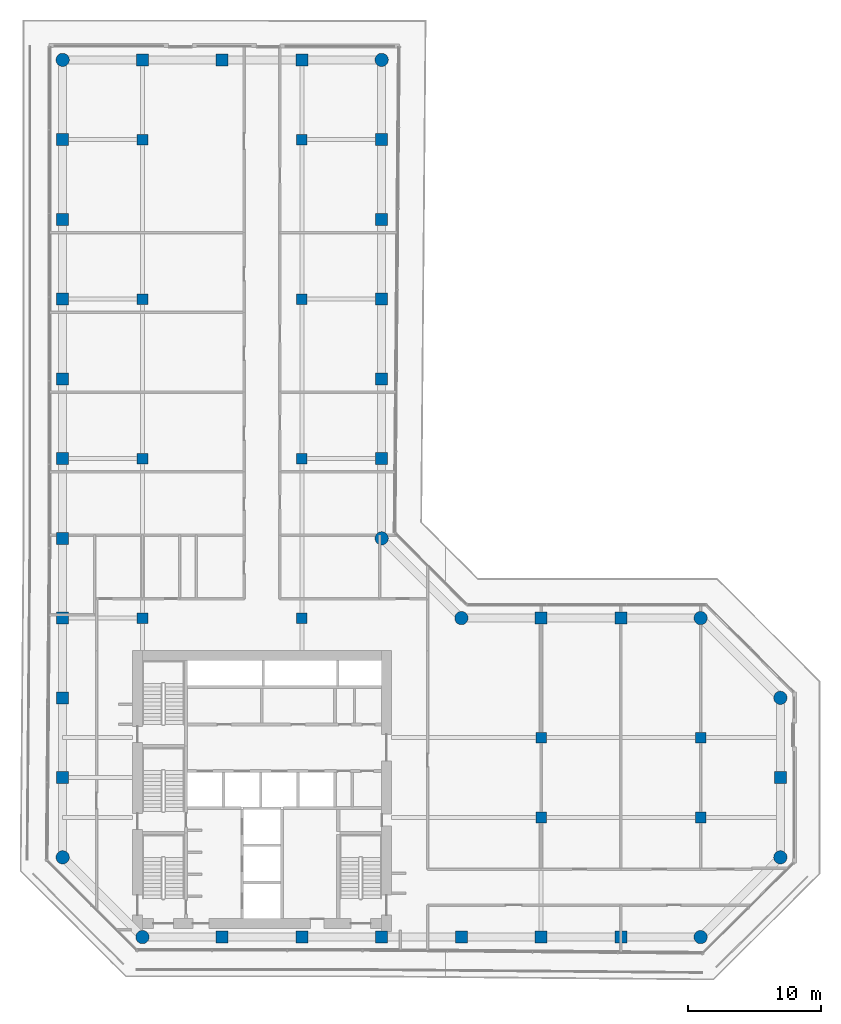
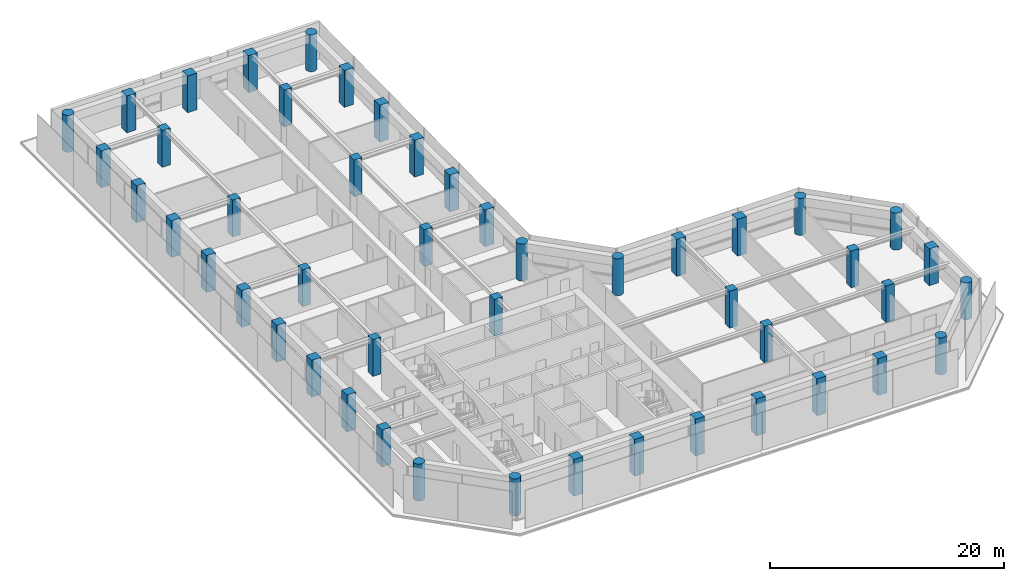
# One storey, part 1 of 23: 48 columns.
"""IFC4 building model written with IfcOpenShell, lengths in metres."""

import ifcopenshell
import ifcopenshell.guid

model = None  # the IFC model being written
_history = None  # IfcOwnerHistory: only IFC2X3 demands one
_inside = {}  # id of a spatial element -> (the spatial element, [elements in it])
_under = {}  # id of a project, library or spatial element -> (it, [spatial elements below it])
_declared = {}  # id of a project -> (the project, [libraries it declares])
_typed = {}  # id of a type object -> (the type object, [elements of that type])
_made_of = {}  # id of a material, layer set ... -> (it, [elements and type objects made of it])


def new_model(schema):
    """Start an empty IFC model of exactly this schema.

    Asked for "IFC4X3", IfcOpenShell would pick the latest addendum, in which some entities
    have other attributes; the version numbers below select the first issue.
    IFC2X3 requires an IfcOwnerHistory on every rooted entity: one is made here for all.
    """
    global model, _history
    if schema == "IFC4X3":
        model = ifcopenshell.file(schema_version=(4, 3, 0, 0))
    else:
        model = ifcopenshell.file(schema=schema)
    _inside.clear()
    _under.clear()
    _declared.clear()
    _typed.clear()
    _made_of.clear()
    _history = None
    if model.schema == "IFC2X3":
        org = make("IfcOrganization", Name="unknown")
        user = make(
            "IfcPersonAndOrganization",
            ThePerson=make("IfcPerson", FamilyName="unknown"),
            TheOrganization=org,
        )
        app = make(
            "IfcApplication",
            ApplicationDeveloper=org,
            Version="unknown",
            ApplicationFullName="unknown",
            ApplicationIdentifier="unknown",
        )
        _history = make(
            "IfcOwnerHistory",
            OwningUser=user,
            OwningApplication=app,
            ChangeAction="ADDED",
            CreationDate=0,
        )
    return model


def make(cls, **values):
    """One entity of the class cls with the attributes given. An attribute that is None is left unset."""
    return model.create_entity(
        cls, **{name: value for name, value in values.items() if value is not None}
    )


def rooted(cls, **values):
    """An entity with a GlobalId (a new one), such as an element, a storey or a relation."""
    return make(cls, GlobalId=ifcopenshell.guid.new(), OwnerHistory=_history, **values)


def si_unit(unit_type, name, prefix=None):
    """IfcSIUnit, for example si_unit("LENGTHUNIT", "METRE", prefix="MILLI")."""
    return make("IfcSIUnit", UnitType=unit_type, Prefix=prefix, Name=name)


def assignment(units):
    """IfcUnitAssignment: the units of a project."""
    return None if units is None else make("IfcUnitAssignment", Units=units)


def point(xyz):
    """IfcCartesianPoint."""
    return None if xyz is None else make("IfcCartesianPoint", Coordinates=xyz)


def direction(xyz):
    """IfcDirection."""
    return None if xyz is None else make("IfcDirection", DirectionRatios=xyz)


def frame(location, z_axis=None, x_axis=None):
    """IfcAxis2Placement3D, a coordinate frame: its origin and axes. An axis left out is left unset."""
    return make(
        "IfcAxis2Placement3D",
        Location=point(location),
        Axis=direction(z_axis),
        RefDirection=direction(x_axis),
    )


def frame_2d(location, x_axis=None):
    """IfcAxis2Placement2D, a coordinate frame in the plane: its origin and x axis."""
    return make(
        "IfcAxis2Placement2D", Location=point(location), RefDirection=direction(x_axis)
    )


def origin():
    """The frame at (0, 0, 0) with its axes left unset."""
    return frame((0.0, 0.0, 0.0))


def origin_2d():
    """The frame at (0, 0) in the plane with its x axis left unset."""
    return frame_2d((0.0, 0.0))


def place(relative_to, where):
    """IfcLocalPlacement: puts the frame where relative to a parent placement (None: the world)."""
    return make(
        "IfcLocalPlacement", PlacementRelTo=relative_to, RelativePlacement=where
    )


def context(
    kind, dimensions, precision=None, world=None, true_north=None, identifier=None
):
    """IfcGeometricRepresentationContext, for example the 3D "Model" context."""
    return make(
        "IfcGeometricRepresentationContext",
        ContextIdentifier=identifier,
        ContextType=kind,
        CoordinateSpaceDimension=dimensions,
        Precision=precision,
        WorldCoordinateSystem=world,
        TrueNorth=true_north,
    )


def subcontext(parent, identifier, kind, view, scale=None):
    """IfcGeometricRepresentationSubContext, for example "Body" below "Model"."""
    return make(
        "IfcGeometricRepresentationSubContext",
        ContextIdentifier=identifier,
        ContextType=kind,
        ParentContext=parent,
        TargetScale=scale,
        TargetView=view,
    )


def project(units=None, contexts=None):
    """IfcProject with its units and contexts."""
    return rooted(
        "IfcProject",
        Name="project",
        RepresentationContexts=contexts,
        UnitsInContext=assignment(units),
    )


def spatial(cls, under=None, at=None, **own):
    """A site, building, storey or space (cls), placed at a placement, below another one or the project."""
    s = rooted(cls, ObjectPlacement=at, **own)
    if under is not None:
        _under.setdefault(under.id(), (under, []))[1].append(s)
    return s


def profile(cls, at=None, kind="AREA", **sizes):
    """A parametric profile (cls). Its sizes go by their IFC names, for example OverallWidth=200.0."""
    return make(cls, ProfileType=kind, Position=at, **sizes)


def rectangle(**sizes):
    """IfcRectangleProfileDef."""
    return profile("IfcRectangleProfileDef", **sizes)


def circle(**sizes):
    """IfcCircleProfileDef."""
    return profile("IfcCircleProfileDef", **sizes)


def extrude(swept, where, along, depth):
    """IfcExtrudedAreaSolid: the profile swept, set in the frame where, extruded along a direction by depth."""
    return make(
        "IfcExtrudedAreaSolid",
        SweptArea=swept,
        Position=where,
        ExtrudedDirection=direction(along),
        Depth=depth,
    )


def shape(context_of_items, identifier, shape_type, items):
    """IfcShapeRepresentation: the items that make up one representation, for example the "Body"."""
    return make(
        "IfcShapeRepresentation",
        ContextOfItems=context_of_items,
        RepresentationIdentifier=identifier,
        RepresentationType=shape_type,
        Items=items,
    )


def material(Name=None, Category=None):
    """IfcMaterial."""
    return make("IfcMaterial", Name=Name, Category=Category)


def material_profile(
    of_material, cross_section, Name=None, Category=None, Priority=None
):
    """IfcMaterialProfile: a cross section and its material."""
    return make(
        "IfcMaterialProfile",
        Name=Name,
        Material=of_material,
        Profile=cross_section,
        Priority=Priority,
        Category=Category,
    )


def profile_set(profiles, Name=None, composite=None):
    """IfcMaterialProfileSet."""
    return make(
        "IfcMaterialProfileSet",
        Name=Name,
        MaterialProfiles=profiles,
        CompositeProfile=composite,
    )


def made_of(thing, what):
    """Note that an element or type object is made of a material, layer set ...; save() writes the relation."""
    if what is not None:
        _made_of.setdefault(what.id(), (what, []))[1].append(thing)
    return thing


def type_object(cls, material=None, **own):
    """A type object (cls), such as IfcWallType, which elements share."""
    return made_of(rooted(cls, **own), material)


def element(
    cls,
    number,
    at=None,
    inside=None,
    cuts=None,
    type_object=None,
    material=None,
    context=None,
    identifier="Body",
    shape_type=None,
    held_by="IfcProductDefinitionShape",
    body=None,
    shapes=None,
    **own,
):
    """One element of the class cls, such as IfcWall. Its Tag is "e" and its number.

    at: its placement. inside: the storey or other place that contains it. cuts: it is an
    opening in that element (IfcRelVoidsElement). A single representation is given by context,
    identifier, shape_type and body (its items); several are given by shapes. held_by: the class
    of the entity that holds the representations. save() writes the other relations.
    """
    e = rooted(cls, Tag="e%d" % number, ObjectPlacement=at, **own)
    if body is not None:
        shapes = [shape(context, identifier, shape_type, body)]
    if shapes is not None:
        e.Representation = make(held_by, Representations=shapes)
    if inside is not None:
        _inside.setdefault(inside.id(), (inside, []))[1].append(e)
    if cuts is not None:
        rooted(
            "IfcRelVoidsElement", RelatingBuildingElement=cuts, RelatedOpeningElement=e
        )
    if type_object is not None:
        _typed.setdefault(type_object.id(), (type_object, []))[1].append(e)
    return made_of(e, material)


def aggregate(whole, parts):
    """IfcRelAggregates: a whole, such as a stair, and the parts it consists of."""
    return rooted("IfcRelAggregates", RelatingObject=whole, RelatedObjects=parts)


def save(model, path):
    """Write the relations noted so far, then the file.

    IfcRelAggregates (storeys below a building ...), IfcRelContainedInSpatialStructure (elements
    in a storey), IfcRelDefinesByType, IfcRelAssociatesMaterial and IfcRelDeclares: one each for
    every whole, place, type object, material and project.
    """
    for whole, parts in _under.values():
        aggregate(whole, parts)
    for where, things in _inside.values():
        rooted(
            "IfcRelContainedInSpatialStructure",
            RelatedElements=things,
            RelatingStructure=where,
        )
    for kind, things in _typed.values():
        rooted("IfcRelDefinesByType", RelatedObjects=things, RelatingType=kind)
    for what, things in _made_of.values():
        rooted("IfcRelAssociatesMaterial", RelatedObjects=things, RelatingMaterial=what)
    for by, libraries in _declared.values():
        rooted("IfcRelDeclares", RelatingContext=by, RelatedDefinitions=libraries)
    model.write(path)


model = new_model("IFC4")

# Units and contexts
model_context = context("Model", 3, precision=1e-05, world=origin(), true_north=direction((0.0, 1.0)))
body_context = subcontext(model_context, "Body", "Model", "MODEL_VIEW")
ifc_project = project(units=[si_unit("LENGTHUNIT", "METRE"), si_unit("AREAUNIT", "SQUARE_METRE"), si_unit("VOLUMEUNIT", "CUBIC_METRE"), si_unit("PLANEANGLEUNIT", "RADIAN"), si_unit("MASSUNIT", "GRAM", prefix="KILO")], contexts=[model_context])

# Site, building, storey
site_placement = place(None, origin())
site = spatial("IfcSite", under=ifc_project, at=site_placement, CompositionType="ELEMENT")
building_placement = place(site_placement, origin())
building = spatial("IfcBuilding", under=site, at=building_placement, Name="Welwitschia Terrace Campus", CompositionType="ELEMENT")
storey_placement = place(building_placement, frame((0.0, 0.0, 113.0)))
storey = spatial("IfcBuildingStorey", under=building, at=storey_placement, Name="L25", CompositionType="ELEMENT", Elevation=113.0)

# Columns
ifc_material_1 = material(Name="Concrete C60/75", Category="concrete")
ifc_material_profile_1 = material_profile(ifc_material_1, circle(Radius=0.5, at=origin_2d()))
ifc_profile_set_1 = profile_set([ifc_material_profile_1], Name="Concrete C60/75")
column_type_1 = type_object("IfcColumnType", Name="Corner column 1000 dia", PredefinedType="COLUMN", material=ifc_profile_set_1)
for number, where, z_axis, x_axis, name in (
    (1, (0.0, 10.0, 0.0), (0.0, 0.0, 1.0), (1.0, 0.0, 0.0), "Column C15"),
    (2, (0.0, 70.0, 0.0), (0.0, 0.0, 1.0), (1.0, 0.0, 0.0), "Column C15"),
    (3, (6.0, 4.0, 0.0), (0.0, 0.0, 1.0), (1.0, 0.0, 0.0), "Column C15"),
    (4, (24.0, 34.0, 0.0), (0.0, 0.0, 1.0), (1.0, 0.0, 0.0), "Column C15"),
    (5, (24.0, 70.0, 0.0), (0.0, 0.0, 1.0), (1.0, 0.0, 0.0), "Column C15"),
    (6, (30.0, 28.0, 0.0), (0.0, 0.0, 1.0), (1.0, 0.0, 0.0), "Column C15"),
    (7, (48.0, 4.0, 0.0), (0.0, 0.0, 1.0), (1.0, 0.0, 0.0), "Column C15"),
    (8, (48.0, 28.0, 0.0), (0.0, 0.0, 1.0), (1.0, 0.0, 0.0), "Column C15"),
    (9, (54.0, 10.0, 0.0), (0.0, 0.0, 1.0), (1.0, 0.0, 0.0), "Column C15"),
    (10, (54.0, 22.0, 0.0), (0.0, 0.0, 1.0), (1.0, 0.0, 0.0), "Column C15"),
):
    element("IfcColumn", number, at=place(storey_placement, frame(where, z_axis=z_axis, x_axis=x_axis)), inside=storey, type_object=column_type_1, Name=name, PredefinedType="COLUMN", context=body_context, shape_type="SweptSolid", body=[
        extrude(circle(Radius=0.5, at=origin_2d()), origin(), (0.0, 0.0, 1.0), 3.85009765625),
    ])
ifc_material_2 = material(Name="Concrete C60/75", Category="concrete")
ifc_material_profile_2 = material_profile(ifc_material_2, rectangle(XDim=0.800048828125, YDim=0.800048828125, at=origin_2d()))
ifc_profile_set_2 = profile_set([ifc_material_profile_2], Name="Concrete C60/75")
column_type_2 = type_object("IfcColumnType", Name="Interior column 800x800", PredefinedType="COLUMN", material=ifc_profile_set_2)
for number, where, z_axis, x_axis, name in (
    (11, (6.0, 28.0, 0.0), (0.0, 0.0, 1.0), (1.0, 0.0, 0.0), "Column C16"),
    (12, (6.0, 40.0, 0.0), (0.0, 0.0, 1.0), (1.0, 0.0, 0.0), "Column C16"),
    (13, (6.0, 52.0, 0.0), (0.0, 0.0, 1.0), (1.0, 0.0, 0.0), "Column C16"),
    (14, (6.0, 64.0, 0.0), (0.0, 0.0, 1.0), (1.0, 0.0, 0.0), "Column C16"),
    (15, (18.0, 28.0, 0.0), (0.0, 0.0, 1.0), (1.0, 0.0, 0.0), "Column C16"),
    (16, (18.0, 40.0, 0.0), (0.0, 0.0, 1.0), (1.0, 0.0, 0.0), "Column C16"),
    (17, (18.0, 52.0, 0.0), (0.0, 0.0, 1.0), (1.0, 0.0, 0.0), "Column C16"),
    (18, (18.0, 64.0, 0.0), (0.0, 0.0, 1.0), (1.0, 0.0, 0.0), "Column C16"),
    (19, (36.0, 13.0, 0.0), (0.0, 0.0, 1.0), (1.0, 0.0, 0.0), "Column C16"),
    (20, (36.0, 19.0, 0.0), (0.0, 0.0, 1.0), (1.0, 0.0, 0.0), "Column C16"),
    (21, (48.0, 13.0, 0.0), (0.0, 0.0, 1.0), (1.0, 0.0, 0.0), "Column C16"),
    (22, (48.0, 19.0, 0.0), (0.0, 0.0, 1.0), (1.0, 0.0, 0.0), "Column C16"),
):
    element("IfcColumn", number, at=place(storey_placement, frame(where, z_axis=z_axis, x_axis=x_axis)), inside=storey, type_object=column_type_2, Name=name, PredefinedType="COLUMN", context=body_context, shape_type="SweptSolid", body=[
        extrude(rectangle(XDim=0.800048828125, YDim=0.800048828125, at=origin_2d()), origin(), (0.0, 0.0, 1.0), 3.85009765625),
    ])
ifc_material_3 = material(Name="Concrete C60/75", Category="concrete")
ifc_material_profile_3 = material_profile(ifc_material_3, rectangle(XDim=0.89990234375, YDim=0.89990234375, at=origin_2d()))
ifc_profile_set_3 = profile_set([ifc_material_profile_3], Name="Concrete C60/75")
column_type_3 = type_object("IfcColumnType", Name="Ring column 900x900", PredefinedType="COLUMN", material=ifc_profile_set_3)
for number, where, z_axis, x_axis, name in (
    (23, (0.0, 16.0, 0.0), (0.0, 0.0, 1.0), (1.0, 0.0, 0.0), "Column C14"),
    (24, (0.0, 22.0, 0.0), (0.0, 0.0, 1.0), (1.0, 0.0, 0.0), "Column C14"),
    (25, (0.0, 28.0, 0.0), (0.0, 0.0, 1.0), (1.0, 0.0, 0.0), "Column C14"),
    (26, (0.0, 34.0, 0.0), (0.0, 0.0, 1.0), (1.0, 0.0, 0.0), "Column C14"),
    (27, (0.0, 40.0, 0.0), (0.0, 0.0, 1.0), (1.0, 0.0, 0.0), "Column C14"),
    (28, (0.0, 46.0, 0.0), (0.0, 0.0, 1.0), (1.0, 0.0, 0.0), "Column C14"),
    (29, (0.0, 52.0, 0.0), (0.0, 0.0, 1.0), (1.0, 0.0, 0.0), "Column C14"),
    (30, (0.0, 58.0, 0.0), (0.0, 0.0, 1.0), (1.0, 0.0, 0.0), "Column C14"),
    (31, (0.0, 64.0, 0.0), (0.0, 0.0, 1.0), (1.0, 0.0, 0.0), "Column C14"),
    (32, (6.0, 70.0, 0.0), (0.0, 0.0, 1.0), (1.0, 0.0, 0.0), "Column C14"),
    (33, (12.0, 4.0, 0.0), (0.0, 0.0, 1.0), (1.0, 0.0, 0.0), "Column C14"),
    (34, (12.0, 70.0, 0.0), (0.0, 0.0, 1.0), (1.0, 0.0, 0.0), "Column C14"),
    (35, (18.0, 4.0, 0.0), (0.0, 0.0, 1.0), (1.0, 0.0, 0.0), "Column C14"),
    (36, (18.0, 70.0, 0.0), (0.0, 0.0, 1.0), (1.0, 0.0, 0.0), "Column C14"),
    (37, (24.0, 4.0, 0.0), (0.0, 0.0, 1.0), (1.0, 0.0, 0.0), "Column C14"),
    (38, (24.0, 40.0, 0.0), (0.0, 0.0, 1.0), (1.0, 0.0, 0.0), "Column C14"),
    (39, (24.0, 46.0, 0.0), (0.0, 0.0, 1.0), (1.0, 0.0, 0.0), "Column C14"),
    (40, (24.0, 52.0, 0.0), (0.0, 0.0, 1.0), (1.0, 0.0, 0.0), "Column C14"),
    (41, (24.0, 58.0, 0.0), (0.0, 0.0, 1.0), (1.0, 0.0, 0.0), "Column C14"),
    (42, (24.0, 64.0, 0.0), (0.0, 0.0, 1.0), (1.0, 0.0, 0.0), "Column C14"),
    (43, (30.0, 4.0, 0.0), (0.0, 0.0, 1.0), (1.0, 0.0, 0.0), "Column C14"),
    (44, (36.0, 4.0, 0.0), (0.0, 0.0, 1.0), (1.0, 0.0, 0.0), "Column C14"),
    (45, (36.0, 28.0, 0.0), (0.0, 0.0, 1.0), (1.0, 0.0, 0.0), "Column C14"),
    (46, (42.0, 4.0, 0.0), (0.0, 0.0, 1.0), (1.0, 0.0, 0.0), "Column C14"),
    (47, (42.0, 28.0, 0.0), (0.0, 0.0, 1.0), (1.0, 0.0, 0.0), "Column C14"),
    (48, (54.0, 16.0, 0.0), (0.0, 0.0, 1.0), (1.0, 0.0, 0.0), "Column C14"),
):
    element("IfcColumn", number, at=place(storey_placement, frame(where, z_axis=z_axis, x_axis=x_axis)), inside=storey, type_object=column_type_3, Name=name, PredefinedType="COLUMN", context=body_context, shape_type="SweptSolid", body=[
        extrude(rectangle(XDim=0.89990234375, YDim=0.89990234375, at=origin_2d()), origin(), (0.0, 0.0, 1.0), 3.85009765625),
    ])

save(model, "model.ifc")
